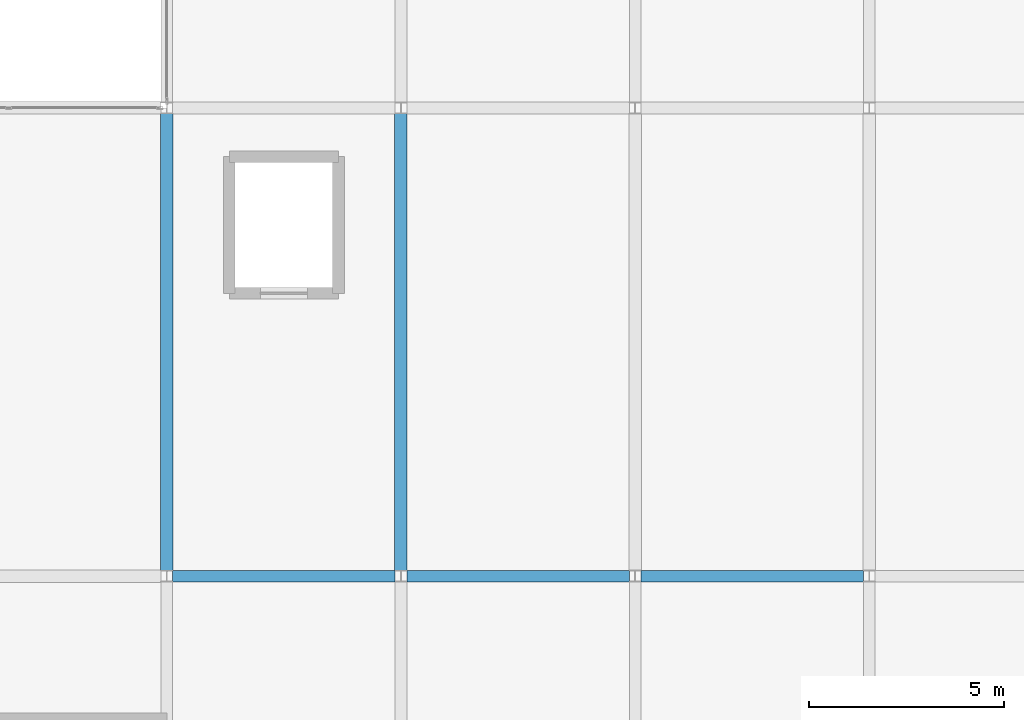
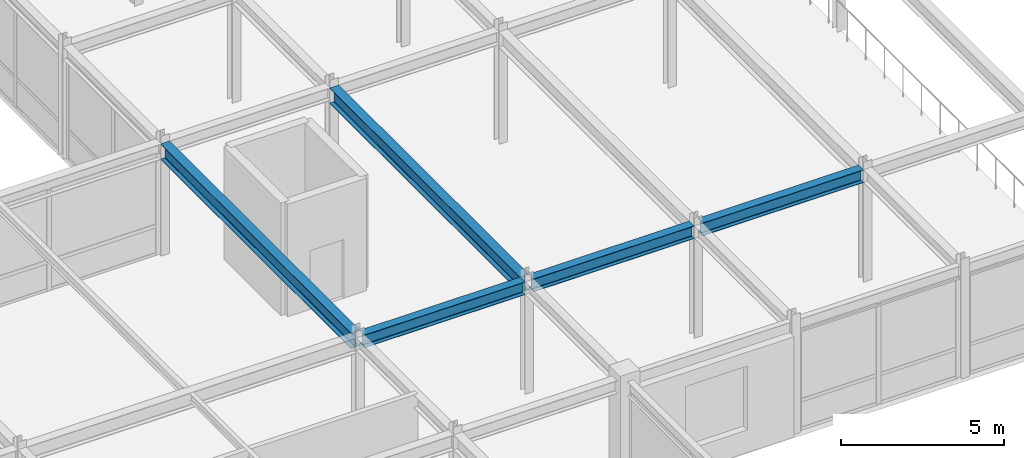
# One storey, part 36 of 108: 5 beams.
"""IFC4 building model written with IfcOpenShell, lengths in metres."""

from ifc_helpers import new_model, si_unit, direction, frame, origin, origin_2d, place, context, subcontext, project, spatial, i_section, extrude, material, material_profile, profile_set, type_object, element, save


model = new_model("IFC4")

# Units and contexts
model_context = context("Model", 3, precision=1e-05, world=origin(), true_north=direction((0.0, 1.0)))
body_context = subcontext(model_context, "Body", "Model", "MODEL_VIEW")
ifc_project = project(units=[si_unit("LENGTHUNIT", "METRE"), si_unit("AREAUNIT", "SQUARE_METRE"), si_unit("VOLUMEUNIT", "CUBIC_METRE"), si_unit("PLANEANGLEUNIT", "RADIAN"), si_unit("MASSUNIT", "GRAM", prefix="KILO")], contexts=[model_context])

# Site, building, storey
site_placement = place(None, origin())
site = spatial("IfcSite", under=ifc_project, at=site_placement, CompositionType="ELEMENT")
building_placement = place(site_placement, origin())
building = spatial("IfcBuilding", under=site, at=building_placement, Name="Zlatovratsky Civic Hall", CompositionType="ELEMENT")
storey_placement = place(building_placement, frame((0.0, 0.0, 12.0)))
storey = spatial("IfcBuildingStorey", under=building, at=storey_placement, Name="L03", CompositionType="ELEMENT", Elevation=12.0)

# Beams
ifc_material = material(Name="Steel S355", Category="steel")
ifc_material_profile_1 = material_profile(ifc_material, i_section(OverallWidth=0.300048828125, OverallDepth=0.48193359375, WebThickness=0.010986328125, FlangeThickness=0.014892578125, FilletRadius=0.02392578125, at=origin_2d()), Name="50Sh1")
ifc_profile_set_1 = profile_set([ifc_material_profile_1], Name="Steel S355")
beam_type_1 = type_object("IfcBeamType", Name="Beam_LibraryGirder_50Sh1", PredefinedType="BEAM", material=ifc_profile_set_1)
for number, where, z_axis, x_axis, name in (
    (1, (48.1494140625, 18.0, 3.97900390625), (1.0, 0.0, 0.0), (0.0, 1.0, 0.0), "BM-2508"),
    (2, (54.1494140625, 18.0, 3.97900390625), (1.0, 0.0, 0.0), (0.0, 1.0, 0.0), "BM-2509"),
    (3, (60.1494140625, 18.0, 3.97900390625), (1.0, 0.0, 0.0), (0.0, 1.0, 0.0), "BM-2510"),
):
    element("IfcBeam", number, at=place(storey_placement, frame(where, z_axis=z_axis, x_axis=x_axis)), inside=storey, type_object=beam_type_1, Name=name, PredefinedType="BEAM", context=body_context, shape_type="SweptSolid", body=[
        extrude(i_section(OverallWidth=0.300048828125, OverallDepth=0.48193359375, WebThickness=0.010986328125, FlangeThickness=0.014892578125, FilletRadius=0.02392578125, at=origin_2d()), origin(), (0.0, 0.0, 1.0), 5.701171875),
    ])
ifc_material_profile_2 = material_profile(ifc_material, i_section(OverallWidth=0.320068359375, OverallDepth=0.58203125, WebThickness=0.011962890625, FlangeThickness=0.01708984375, FilletRadius=0.02392578125, at=origin_2d()), Name="60Sh1")
ifc_profile_set_2 = profile_set([ifc_material_profile_2], Name="Steel S355")
beam_type_2 = type_object("IfcBeamType", Name="Beam_PodiumGirder_60Sh1", PredefinedType="BEAM", material=ifc_profile_set_2)
for number, where, z_axis, x_axis, name in (
    (4, (48.0, 18.14794921875, 3.928955078125), (0.0, 1.0, 0.0), (-1.0, 0.0, 0.0), "BM-2868"),
    (5, (54.0, 18.14794921875, 3.928955078125), (0.0, 1.0, 0.0), (-1.0, 0.0, 0.0), "BM-2885"),
):
    element("IfcBeam", number, at=place(storey_placement, frame(where, z_axis=z_axis, x_axis=x_axis)), inside=storey, type_object=beam_type_2, Name=name, PredefinedType="BEAM", context=body_context, shape_type="SweptSolid", body=[
        extrude(i_section(OverallWidth=0.320068359375, OverallDepth=0.58203125, WebThickness=0.011962890625, FlangeThickness=0.01708984375, FilletRadius=0.02392578125, at=origin_2d()), origin(), (0.0, 0.0, 1.0), 11.7041015625),
    ])

save(model, "model.ifc")
